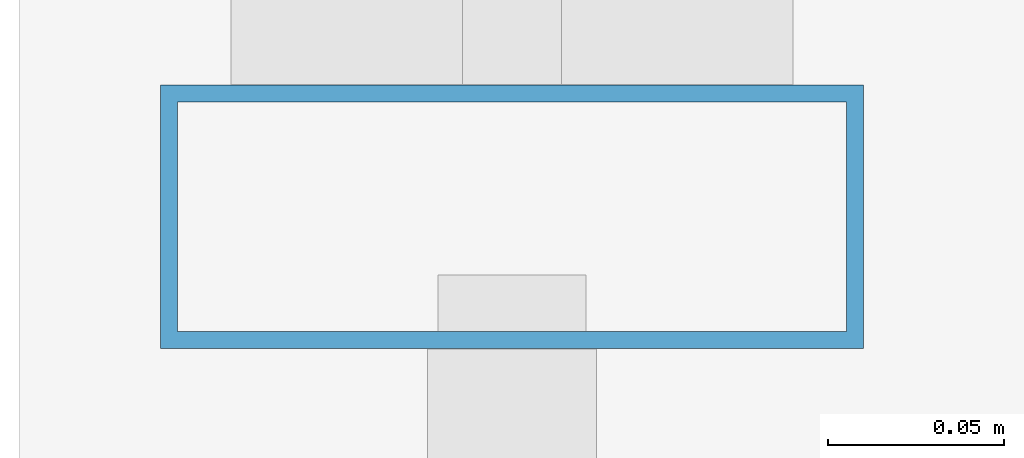
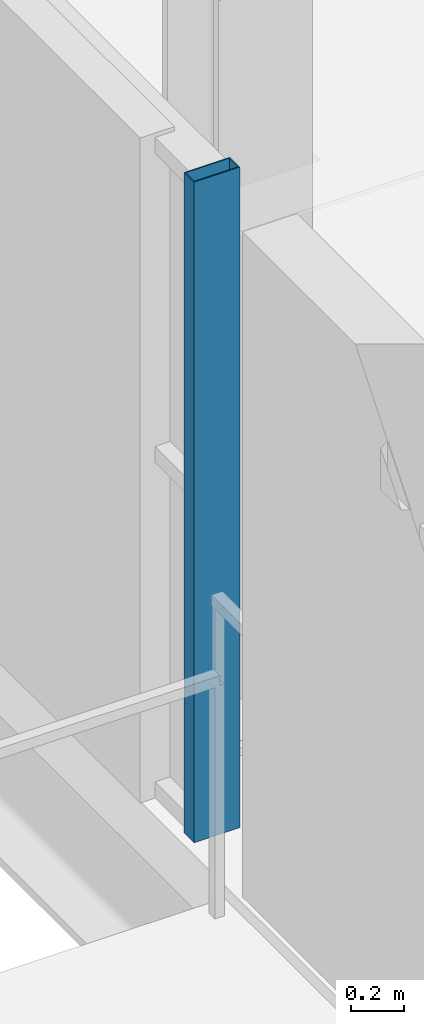
# One storey, part 5 of 32: 1 member, 1 element without a shape of its own.
"""IFC4 building model written with IfcOpenShell, lengths in metres."""

import ifcopenshell
import ifcopenshell.guid

model = None  # the IFC model being written
_history = None  # IfcOwnerHistory: only IFC2X3 demands one
_inside = {}  # id of a spatial element -> (the spatial element, [elements in it])
_under = {}  # id of a project, library or spatial element -> (it, [spatial elements below it])
_declared = {}  # id of a project -> (the project, [libraries it declares])
_typed = {}  # id of a type object -> (the type object, [elements of that type])
_made_of = {}  # id of a material, layer set ... -> (it, [elements and type objects made of it])


def new_model(schema):
    """Start an empty IFC model of exactly this schema.

    Asked for "IFC4X3", IfcOpenShell would pick the latest addendum, in which some entities
    have other attributes; the version numbers below select the first issue.
    IFC2X3 requires an IfcOwnerHistory on every rooted entity: one is made here for all.
    """
    global model, _history
    if schema == "IFC4X3":
        model = ifcopenshell.file(schema_version=(4, 3, 0, 0))
    else:
        model = ifcopenshell.file(schema=schema)
    _inside.clear()
    _under.clear()
    _declared.clear()
    _typed.clear()
    _made_of.clear()
    _history = None
    if model.schema == "IFC2X3":
        org = make("IfcOrganization", Name="unknown")
        user = make(
            "IfcPersonAndOrganization",
            ThePerson=make("IfcPerson", FamilyName="unknown"),
            TheOrganization=org,
        )
        app = make(
            "IfcApplication",
            ApplicationDeveloper=org,
            Version="unknown",
            ApplicationFullName="unknown",
            ApplicationIdentifier="unknown",
        )
        _history = make(
            "IfcOwnerHistory",
            OwningUser=user,
            OwningApplication=app,
            ChangeAction="ADDED",
            CreationDate=0,
        )
    return model


def make(cls, **values):
    """One entity of the class cls with the attributes given. An attribute that is None is left unset."""
    return model.create_entity(
        cls, **{name: value for name, value in values.items() if value is not None}
    )


def rooted(cls, **values):
    """An entity with a GlobalId (a new one), such as an element, a storey or a relation."""
    return make(cls, GlobalId=ifcopenshell.guid.new(), OwnerHistory=_history, **values)


def si_unit(unit_type, name, prefix=None):
    """IfcSIUnit, for example si_unit("LENGTHUNIT", "METRE", prefix="MILLI")."""
    return make("IfcSIUnit", UnitType=unit_type, Prefix=prefix, Name=name)


def assignment(units):
    """IfcUnitAssignment: the units of a project."""
    return None if units is None else make("IfcUnitAssignment", Units=units)


def point(xyz):
    """IfcCartesianPoint."""
    return None if xyz is None else make("IfcCartesianPoint", Coordinates=xyz)


def direction(xyz):
    """IfcDirection."""
    return None if xyz is None else make("IfcDirection", DirectionRatios=xyz)


def frame(location, z_axis=None, x_axis=None):
    """IfcAxis2Placement3D, a coordinate frame: its origin and axes. An axis left out is left unset."""
    return make(
        "IfcAxis2Placement3D",
        Location=point(location),
        Axis=direction(z_axis),
        RefDirection=direction(x_axis),
    )


def frame_2d(location, x_axis=None):
    """IfcAxis2Placement2D, a coordinate frame in the plane: its origin and x axis."""
    return make(
        "IfcAxis2Placement2D", Location=point(location), RefDirection=direction(x_axis)
    )


def origin():
    """The frame at (0, 0, 0) with its axes left unset."""
    return frame((0.0, 0.0, 0.0))


def origin_2d():
    """The frame at (0, 0) in the plane with its x axis left unset."""
    return frame_2d((0.0, 0.0))


def place(relative_to, where):
    """IfcLocalPlacement: puts the frame where relative to a parent placement (None: the world)."""
    return make(
        "IfcLocalPlacement", PlacementRelTo=relative_to, RelativePlacement=where
    )


def context(
    kind, dimensions, precision=None, world=None, true_north=None, identifier=None
):
    """IfcGeometricRepresentationContext, for example the 3D "Model" context."""
    return make(
        "IfcGeometricRepresentationContext",
        ContextIdentifier=identifier,
        ContextType=kind,
        CoordinateSpaceDimension=dimensions,
        Precision=precision,
        WorldCoordinateSystem=world,
        TrueNorth=true_north,
    )


def subcontext(parent, identifier, kind, view, scale=None):
    """IfcGeometricRepresentationSubContext, for example "Body" below "Model"."""
    return make(
        "IfcGeometricRepresentationSubContext",
        ContextIdentifier=identifier,
        ContextType=kind,
        ParentContext=parent,
        TargetScale=scale,
        TargetView=view,
    )


def project(units=None, contexts=None):
    """IfcProject with its units and contexts."""
    return rooted(
        "IfcProject",
        Name="project",
        RepresentationContexts=contexts,
        UnitsInContext=assignment(units),
    )


def spatial(cls, under=None, at=None, **own):
    """A site, building, storey or space (cls), placed at a placement, below another one or the project."""
    s = rooted(cls, ObjectPlacement=at, **own)
    if under is not None:
        _under.setdefault(under.id(), (under, []))[1].append(s)
    return s


def profile(cls, at=None, kind="AREA", **sizes):
    """A parametric profile (cls). Its sizes go by their IFC names, for example OverallWidth=200.0."""
    return make(cls, ProfileType=kind, Position=at, **sizes)


def hollow_rectangle(**sizes):
    """IfcRectangleHollowProfileDef."""
    return profile("IfcRectangleHollowProfileDef", **sizes)


def extrude(swept, where, along, depth):
    """IfcExtrudedAreaSolid: the profile swept, set in the frame where, extruded along a direction by depth."""
    return make(
        "IfcExtrudedAreaSolid",
        SweptArea=swept,
        Position=where,
        ExtrudedDirection=direction(along),
        Depth=depth,
    )


def shape(context_of_items, identifier, shape_type, items):
    """IfcShapeRepresentation: the items that make up one representation, for example the "Body"."""
    return make(
        "IfcShapeRepresentation",
        ContextOfItems=context_of_items,
        RepresentationIdentifier=identifier,
        RepresentationType=shape_type,
        Items=items,
    )


def source(mapping_origin, context_of_items, identifier, shape_type, items):
    """IfcRepresentationMap: a shape defined once, which mapped items show again and again."""
    return make(
        "IfcRepresentationMap",
        MappingOrigin=mapping_origin,
        MappedRepresentation=shape(context_of_items, identifier, shape_type, items),
    )


def transform(
    local_origin,
    x_axis=None,
    y_axis=None,
    z_axis=None,
    scale=None,
    scale2=None,
    scale3=None,
    uniform=True,
):
    """IfcCartesianTransformationOperator3D, or its non-uniform kind. x_axis, y_axis, z_axis: its Axis1, 2, 3."""
    if uniform:
        return make(
            "IfcCartesianTransformationOperator3D",
            Axis1=direction(x_axis),
            Axis2=direction(y_axis),
            LocalOrigin=point(local_origin),
            Scale=scale,
            Axis3=direction(z_axis),
        )
    return make(
        "IfcCartesianTransformationOperator3DnonUniform",
        Axis1=direction(x_axis),
        Axis2=direction(y_axis),
        LocalOrigin=point(local_origin),
        Scale=scale,
        Axis3=direction(z_axis),
        Scale2=scale2,
        Scale3=scale3,
    )


def mapped(mapping_source, mapping_target):
    """IfcMappedItem: shows the shape of a source again, moved by a transform."""
    return make(
        "IfcMappedItem", MappingSource=mapping_source, MappingTarget=mapping_target
    )


def material(Name=None, Category=None):
    """IfcMaterial."""
    return make("IfcMaterial", Name=Name, Category=Category)


def layer(
    of_material, thickness, ventilated=None, Name=None, Category=None, Priority=None
):
    """IfcMaterialLayer: one layer of a wall or slab, of a material (None: an air gap)."""
    return make(
        "IfcMaterialLayer",
        Material=of_material,
        LayerThickness=thickness,
        IsVentilated=ventilated,
        Name=Name,
        Category=Category,
        Priority=Priority,
    )


def layer_set(layers, Name=None):
    """IfcMaterialLayerSet."""
    return make("IfcMaterialLayerSet", MaterialLayers=layers, LayerSetName=Name)


def material_profile(
    of_material, cross_section, Name=None, Category=None, Priority=None
):
    """IfcMaterialProfile: a cross section and its material."""
    return make(
        "IfcMaterialProfile",
        Name=Name,
        Material=of_material,
        Profile=cross_section,
        Priority=Priority,
        Category=Category,
    )


def profile_set(profiles, Name=None, composite=None):
    """IfcMaterialProfileSet."""
    return make(
        "IfcMaterialProfileSet",
        Name=Name,
        MaterialProfiles=profiles,
        CompositeProfile=composite,
    )


def made_of(thing, what):
    """Note that an element or type object is made of a material, layer set ...; save() writes the relation."""
    if what is not None:
        _made_of.setdefault(what.id(), (what, []))[1].append(thing)
    return thing


def type_object(cls, material=None, **own):
    """A type object (cls), such as IfcWallType, which elements share."""
    return made_of(rooted(cls, **own), material)


def element(
    cls,
    number,
    at=None,
    inside=None,
    cuts=None,
    type_object=None,
    material=None,
    context=None,
    identifier="Body",
    shape_type=None,
    held_by="IfcProductDefinitionShape",
    body=None,
    shapes=None,
    **own,
):
    """One element of the class cls, such as IfcWall. Its Tag is "e" and its number.

    at: its placement. inside: the storey or other place that contains it. cuts: it is an
    opening in that element (IfcRelVoidsElement). A single representation is given by context,
    identifier, shape_type and body (its items); several are given by shapes. held_by: the class
    of the entity that holds the representations. save() writes the other relations.
    """
    e = rooted(cls, Tag="e%d" % number, ObjectPlacement=at, **own)
    if body is not None:
        shapes = [shape(context, identifier, shape_type, body)]
    if shapes is not None:
        e.Representation = make(held_by, Representations=shapes)
    if inside is not None:
        _inside.setdefault(inside.id(), (inside, []))[1].append(e)
    if cuts is not None:
        rooted(
            "IfcRelVoidsElement", RelatingBuildingElement=cuts, RelatedOpeningElement=e
        )
    if type_object is not None:
        _typed.setdefault(type_object.id(), (type_object, []))[1].append(e)
    return made_of(e, material)


def aggregate(whole, parts):
    """IfcRelAggregates: a whole, such as a stair, and the parts it consists of."""
    return rooted("IfcRelAggregates", RelatingObject=whole, RelatedObjects=parts)


def save(model, path):
    """Write the relations noted so far, then the file.

    IfcRelAggregates (storeys below a building ...), IfcRelContainedInSpatialStructure (elements
    in a storey), IfcRelDefinesByType, IfcRelAssociatesMaterial and IfcRelDeclares: one each for
    every whole, place, type object, material and project.
    """
    for whole, parts in _under.values():
        aggregate(whole, parts)
    for where, things in _inside.values():
        rooted(
            "IfcRelContainedInSpatialStructure",
            RelatedElements=things,
            RelatingStructure=where,
        )
    for kind, things in _typed.values():
        rooted("IfcRelDefinesByType", RelatedObjects=things, RelatingType=kind)
    for what, things in _made_of.values():
        rooted("IfcRelAssociatesMaterial", RelatedObjects=things, RelatingMaterial=what)
    for by, libraries in _declared.values():
        rooted("IfcRelDeclares", RelatingContext=by, RelatedDefinitions=libraries)
    model.write(path)


model = new_model("IFC4")

# Units and contexts
model_context = context("Model", 3, precision=1e-05, world=origin(), true_north=direction((0.0, 1.0)))
body_context = subcontext(model_context, "Body", "Model", "MODEL_VIEW")
ifc_project = project(units=[si_unit("LENGTHUNIT", "METRE"), si_unit("AREAUNIT", "SQUARE_METRE"), si_unit("VOLUMEUNIT", "CUBIC_METRE"), si_unit("PLANEANGLEUNIT", "RADIAN"), si_unit("MASSUNIT", "GRAM", prefix="KILO")], contexts=[model_context])

# Site, building, storey
site_placement = place(None, origin())
site = spatial("IfcSite", under=ifc_project, at=site_placement, CompositionType="ELEMENT")
building_placement = place(site_placement, origin())
building = spatial("IfcBuilding", under=site, at=building_placement, Name="Zarnakvel Exchange Tower", CompositionType="ELEMENT")
storey_placement = place(building_placement, frame((0.0, 0.0, 27.39990234375)))
storey = spatial("IfcBuildingStorey", under=building, at=storey_placement, Name="L06", CompositionType="ELEMENT", Elevation=27.39990234375)

# Curtain wall, member
ifc_material = material(Name="Architectural Bronze Anodised Aluminium", Category="aluminium")
ifc_layer = layer(ifc_material, 0.199951171875)
ifc_layer_set = layer_set([ifc_layer], Name="Architectural Bronze Anodised Aluminium")
curtain_wall_type = type_object("IfcCurtainWallType", Name="CW-04", PredefinedType="NOTDEFINED", material=ifc_layer_set)
curtain_wall_placement = place(storey_placement, origin())
curtain_wall = element("IfcCurtainWall", 1, at=curtain_wall_placement, inside=storey, type_object=curtain_wall_type, Name="L06 Curtain Wall CW-L06-WN (CW-04)", PredefinedType="NOTDEFINED")
ifc_material_profile = material_profile(ifc_material, hollow_rectangle(XDim=0.199951171875, YDim=0.074951171875, WallThickness=0.0048828125, at=origin_2d()))
ifc_profile_set = profile_set([ifc_material_profile], Name="Architectural Bronze Anodised Aluminium")
member_type = type_object("IfcMemberType", Name="CWM-04", PredefinedType="MULLION", material=ifc_profile_set)
shared_shape = source(origin(), body_context, "Body", "SweptSolid", [
    extrude(hollow_rectangle(XDim=0.199951171875, YDim=0.074951171875, WallThickness=0.0048828125, at=origin_2d()), origin(), (0.0, 0.0, 1.0), 3.05517578125),
])
member_placement = place(storey_placement, frame((-32.4599609375, -2.0625, 0.0), z_axis=(0.0, 0.0, 1.0), x_axis=(-1.0, 0.0, 0.0)))
member = element("IfcMember", 2, at=member_placement, type_object=member_type, Name="CW-04 mullion 1", PredefinedType="MULLION", context=body_context, shape_type="MappedRepresentation", body=[
    mapped(shared_shape, transform((0.0, 0.0, 0.0), x_axis=(1.0, 0.0, 0.0), y_axis=(0.0, 1.0, 0.0), z_axis=(0.0, 0.0, 1.0), scale=1.0)),
])
aggregate(curtain_wall, [member])

save(model, "model.ifc")
